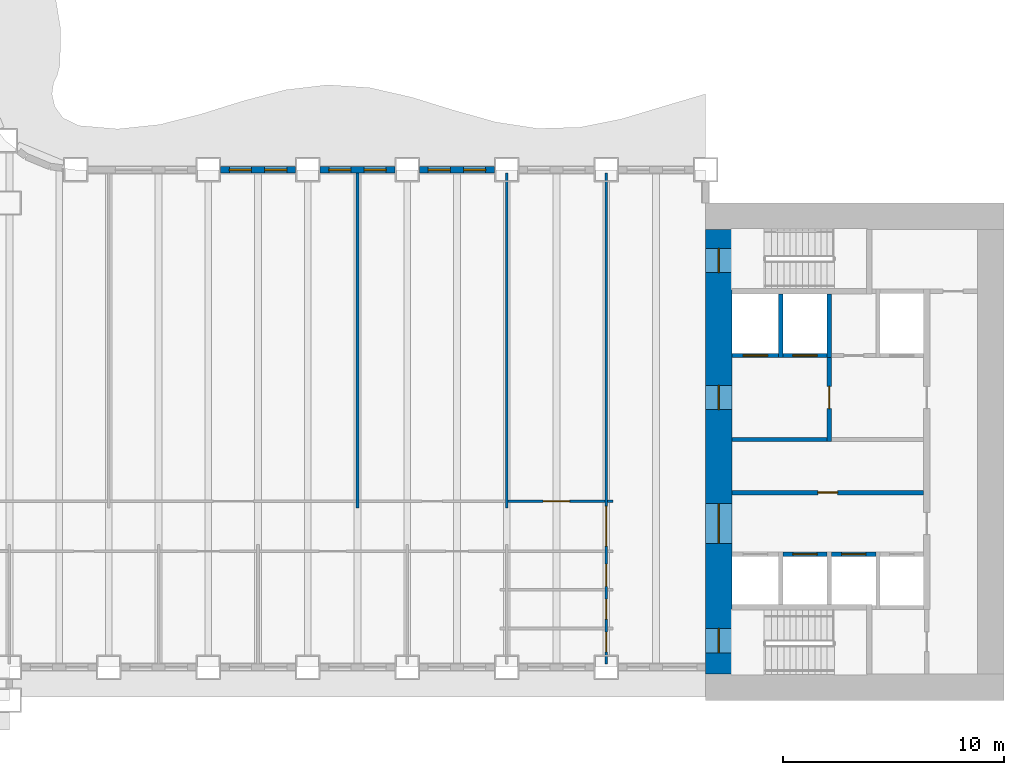
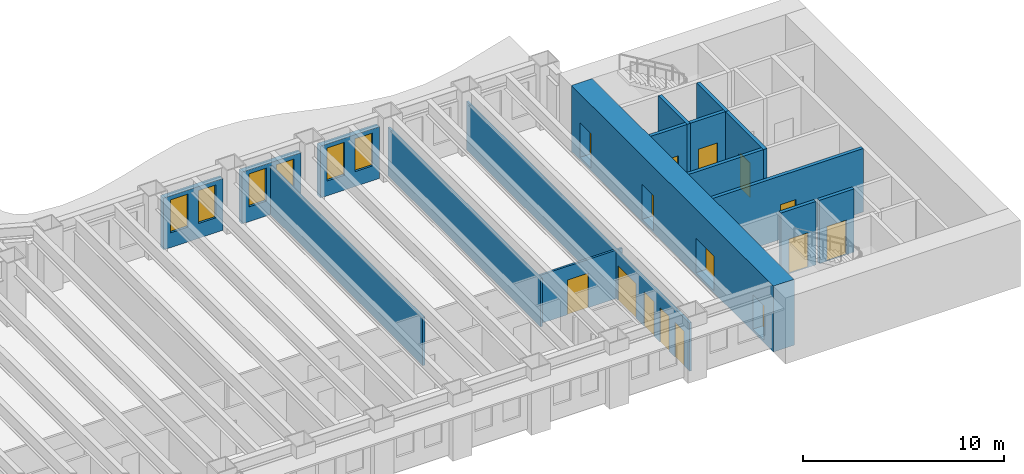
# One storey, part 6 of 16: 18 walls, 15 doors, 6 windows, 21 openings.
"""IFC4 building model written with IfcOpenShell, lengths in metres."""

from ifc_helpers import new_model, si_unit, direction, frame, frame_2d, origin, place, context, subcontext, project, spatial, rectangle, extrude, material, layer, layer_set, type_object, element, fill, save


model = new_model("IFC4")

# Units and contexts
model_context = context("Model", 3, precision=1e-05, world=origin(), true_north=direction((0.0, 1.0)))
body_context = subcontext(model_context, "Body", "Model", "MODEL_VIEW")
ifc_project = project(units=[si_unit("LENGTHUNIT", "METRE"), si_unit("AREAUNIT", "SQUARE_METRE"), si_unit("VOLUMEUNIT", "CUBIC_METRE"), si_unit("PLANEANGLEUNIT", "RADIAN"), si_unit("MASSUNIT", "GRAM", prefix="KILO")], contexts=[model_context])

# Site, building, storey
site_placement = place(None, origin())
site = spatial("IfcSite", under=ifc_project, at=site_placement, CompositionType="ELEMENT")
building_placement = place(site_placement, origin())
building = spatial("IfcBuilding", under=site, at=building_placement, Name="Sennacour Bend Tower", CompositionType="ELEMENT")
storey_placement = place(building_placement, frame((0.0, 0.0, 57.0)))
storey = spatial("IfcBuildingStorey", under=building, at=storey_placement, Name="L12", CompositionType="ELEMENT", Elevation=57.0)

# Wall, openings, doors
ifc_material_1 = material(Name="Concrete C80/95", Category="concrete")
ifc_layer_1 = layer(ifc_material_1, 1.199951171875, Name="Concrete C80/95", Category="concrete")
ifc_layer_set_1 = layer_set([ifc_layer_1], Name="Concrete C80/95")
wall_type_1 = type_object("IfcWallType", Name="Core wall 1200 C80/95", PredefinedType="SHEAR", material=ifc_layer_set_1)
wall_1_placement = place(storey_placement, frame((54.60009765625, 1.199951171875, -0.14990234375), z_axis=(0.0, 0.0, 1.0), x_axis=(0.0, 1.0, 0.0)))
wall_1 = element("IfcWall", 1, at=wall_1_placement, inside=storey, type_object=wall_type_1, Name="Core A wall L12 W", PredefinedType="SHEAR", context=body_context, shape_type="SweptSolid", body=[
    extrude(rectangle(XDim=20.10009765625, YDim=1.199951171875, at=frame_2d((10.050048828125, 0.0))), origin(), (0.0, 0.0, 1.0), 4.0),
])
opening_1_placement = place(wall_1_placement, frame((5.89990234375, 0.0, 0.14990234375)))
opening_1 = element("IfcOpeningElement", 2, at=opening_1_placement, cuts=wall_1, Name="Opening CD", PredefinedType="OPENING", context=body_context, shape_type="SweptSolid", body=[
    extrude(rectangle(XDim=1.800048828125, YDim=2.10009765625, at=frame_2d((0.89990234375, 1.050048828125))), frame((0.0, 0.60986328125, 0.0), z_axis=(0.0, -1.0, 0.0), x_axis=(1.0, 0.0, 0.0)), (0.0, 0.0, 1.0), 1.219970703125),
])
opening_2_placement = place(wall_1_placement, frame((11.949951171875, 0.0, 0.14990234375)))
opening_2 = element("IfcOpeningElement", 3, at=opening_2_placement, cuts=wall_1, Name="Opening FD", PredefinedType="OPENING", context=body_context, shape_type="SweptSolid", body=[
    extrude(rectangle(XDim=1.10009765625, YDim=2.10009765625, at=frame_2d((0.550048828125, 1.050048828125))), frame((0.0, 0.60986328125, 0.0), z_axis=(0.0, -1.0, 0.0), x_axis=(1.0, 0.0, 0.0)), (0.0, 0.0, 1.0), 1.219970703125),
])
opening_3_placement = place(wall_1_placement, frame((0.949951171875, 0.0, 0.14990234375)))
opening_3 = element("IfcOpeningElement", 4, at=opening_3_placement, cuts=wall_1, Name="Opening SD", PredefinedType="OPENING", context=body_context, shape_type="SweptSolid", body=[
    extrude(rectangle(XDim=1.10009765625, YDim=2.10009765625, at=frame_2d((0.550048828125, 1.050048828125))), frame((0.0, 0.60986328125, 0.0), z_axis=(0.0, -1.0, 0.0), x_axis=(1.0, 0.0, 0.0)), (0.0, 0.0, 1.0), 1.219970703125),
])
opening_4_placement = place(wall_1_placement, frame((18.14990234375, 0.0, 0.14990234375)))
opening_4 = element("IfcOpeningElement", 5, at=opening_4_placement, cuts=wall_1, Name="Opening SD", PredefinedType="OPENING", context=body_context, shape_type="SweptSolid", body=[
    extrude(rectangle(XDim=1.10009765625, YDim=2.10009765625, at=frame_2d((0.550048828125, 1.050048828125))), frame((0.0, 0.60986328125, 0.0), z_axis=(0.0, -1.0, 0.0), x_axis=(1.0, 0.0, 0.0)), (0.0, 0.0, 1.0), 1.219970703125),
])
ifc_material_2 = material(Name="Painted steel", Category="steel")
door_type_1 = type_object("IfcDoorType", Name="DR-FFL-1100", OperationType="NOTDEFINED", PredefinedType="DOOR", material=ifc_material_2)
door_1_placement = place(opening_2_placement, origin())
door_1 = element("IfcDoor", 6, at=door_1_placement, inside=storey, type_object=door_type_1, Name="Door", OperationType="SINGLE_SWING_RIGHT", OverallHeight=2.10009765625, OverallWidth=1.10009765625, PredefinedType="DOOR", context=body_context, shape_type="SweptSolid", body=[
    extrude(rectangle(XDim=1.10009765625, YDim=2.10009765625, at=frame_2d((0.550048828125, 1.050048828125))), frame((0.0, 0.02490234375, 0.0), z_axis=(0.0, -1.0, 0.0), x_axis=(1.0, 0.0, 0.0)), (0.0, 0.0, 1.0), 0.050048828125),
])
fill(opening_2, door_1)
door_type_2 = type_object("IfcDoorType", Name="DR-LOBBY-1800", OperationType="NOTDEFINED", PredefinedType="DOOR", material=ifc_material_2)
door_2_placement = place(opening_1_placement, origin())
door_2 = element("IfcDoor", 7, at=door_2_placement, inside=storey, type_object=door_type_2, Name="Door", OperationType="DOUBLE_DOOR_SINGLE_SWING", OverallHeight=2.10009765625, OverallWidth=1.800048828125, PredefinedType="DOOR", context=body_context, shape_type="SweptSolid", body=[
    extrude(rectangle(XDim=1.800048828125, YDim=2.10009765625, at=frame_2d((0.89990234375, 1.050048828125))), frame((0.0, 0.02490234375, 0.0), z_axis=(0.0, -1.0, 0.0), x_axis=(1.0, 0.0, 0.0)), (0.0, 0.0, 1.0), 0.050048828125),
])
fill(opening_1, door_2)
door_type_3 = type_object("IfcDoorType", Name="DR-STAIR-1100", OperationType="NOTDEFINED", PredefinedType="DOOR", material=ifc_material_2)
door_3_placement = place(opening_3_placement, origin())
door_3 = element("IfcDoor", 8, at=door_3_placement, inside=storey, type_object=door_type_3, Name="Door", OperationType="SINGLE_SWING_LEFT", OverallHeight=2.10009765625, OverallWidth=1.10009765625, PredefinedType="DOOR", context=body_context, shape_type="SweptSolid", body=[
    extrude(rectangle(XDim=1.10009765625, YDim=2.10009765625, at=frame_2d((0.550048828125, 1.050048828125))), frame((0.0, 0.02490234375, 0.0), z_axis=(0.0, -1.0, 0.0), x_axis=(1.0, 0.0, 0.0)), (0.0, 0.0, 1.0), 0.050048828125),
])
fill(opening_3, door_3)
door_4_placement = place(opening_4_placement, origin())
door_4 = element("IfcDoor", 9, at=door_4_placement, inside=storey, type_object=door_type_3, Name="Door", OperationType="SINGLE_SWING_RIGHT", OverallHeight=2.10009765625, OverallWidth=1.10009765625, PredefinedType="DOOR", context=body_context, shape_type="SweptSolid", body=[
    extrude(rectangle(XDim=1.10009765625, YDim=2.10009765625, at=frame_2d((0.550048828125, 1.050048828125))), frame((0.0, 0.02490234375, 0.0), z_axis=(0.0, -1.0, 0.0), x_axis=(1.0, 0.0, 0.0)), (0.0, 0.0, 1.0), 0.050048828125),
])
fill(opening_4, door_4)

# Walls
ifc_material_3 = material(Name="Plasterboard partition on steel studs", Category="steel")
ifc_layer_2 = layer(ifc_material_3, 0.1201171875, Name="Plasterboard partition on steel studs", Category="steel")
ifc_layer_set_2 = layer_set([ifc_layer_2], Name="Plasterboard partition on steel studs")
wall_type_2 = type_object("IfcWallType", Name="Partition 120", PredefinedType="PARTITIONING", material=ifc_layer_set_2)
for number, where, z_axis, x_axis, name in (
    (10, (38.25, 8.699951171875, 0.0), (0.0, 0.0, 1.0), (0.0, 1.0, 0.0), "P-L12-W030a"),
    (11, (45.0, 8.699951171875, 0.0), (0.0, 0.0, 1.0), (0.0, 1.0, 0.0), "P-L12-W033a"),
):
    element("IfcWall", number, at=place(storey_placement, frame(where, z_axis=z_axis, x_axis=x_axis)), inside=storey, type_object=wall_type_2, Name=name, PredefinedType="PARTITIONING", context=body_context, shape_type="SweptSolid", body=[
        extrude(rectangle(XDim=15.150146484375, YDim=0.1201171875, at=frame_2d((7.5751953125, 0.0))), origin(), (0.0, 0.0, 1.0), 2.93798828125),
    ])

# Wall, opening, door
wall_2_placement = place(storey_placement, frame((45.06005859375, 9.0, 0.0), z_axis=(0.0, 0.0, 1.0), x_axis=(1.0, 0.0, 0.0)))
wall_2 = element("IfcWall", 12, at=wall_2_placement, inside=storey, type_object=wall_type_2, Name="P-L12-W058af", PredefinedType="PARTITIONING", context=body_context, shape_type="SweptSolid", body=[
    extrude(rectangle(XDim=4.3798828125, YDim=0.1201171875, at=frame_2d((2.18994140625, 0.0))), origin(), (0.0, 0.0, 1.0), 2.93798828125),
])
opening_5_placement = place(wall_2_placement, frame((1.58984375, 0.0, 0.0)))
opening_5 = element("IfcOpeningElement", 13, at=opening_5_placement, cuts=wall_2, Name="Opening OD", PredefinedType="OPENING", context=body_context, shape_type="SweptSolid", body=[
    extrude(rectangle(XDim=1.199951171875, YDim=2.10009765625, at=frame_2d((0.60009765625, 1.050048828125))), frame((0.0, 0.070068359375, 0.0), z_axis=(0.0, -1.0, 0.0), x_axis=(1.0, 0.0, 0.0)), (0.0, 0.0, 1.0), 0.14013671875),
])
ifc_material_4 = material(Name="Timber", Category="wood")
door_type_4 = type_object("IfcDoorType", Name="DR-OFFICE-1200", OperationType="NOTDEFINED", PredefinedType="DOOR", material=ifc_material_4)
door_5_placement = place(opening_5_placement, origin())
door_5 = element("IfcDoor", 14, at=door_5_placement, inside=storey, type_object=door_type_4, Name="Door", OperationType="SINGLE_SWING_LEFT", OverallHeight=2.10009765625, OverallWidth=1.199951171875, PredefinedType="DOOR", context=body_context, shape_type="SweptSolid", body=[
    extrude(rectangle(XDim=1.199951171875, YDim=2.10009765625, at=frame_2d((0.60009765625, 1.050048828125))), frame((0.0, 0.02490234375, 0.0), z_axis=(0.0, -1.0, 0.0), x_axis=(1.0, 0.0, 0.0)), (0.0, 0.0, 1.0), 0.050048828125),
])
fill(opening_5, door_5)

# Wall
wall_3_placement = place(storey_placement, frame((49.56005859375, 9.0, 0.0), z_axis=(0.0, 0.0, 1.0), x_axis=(1.0, 0.0, 0.0)))
element("IfcWall", 15, at=wall_3_placement, inside=storey, type_object=wall_type_2, Name="P-L12-W058ag", PredefinedType="PARTITIONING", context=body_context, shape_type="SweptSolid", body=[
    extrude(rectangle(XDim=0.239990234375, YDim=0.1201171875, at=frame_2d((0.1201171875, 0.0))), origin(), (0.0, 0.0, 1.0), 2.93798828125),
])

# Wall, openings, doors
ifc_layer_3 = layer(ifc_material_3, 0.1201171875, Name="Plasterboard partition on steel studs", Category="steel")
ifc_layer_set_3 = layer_set([ifc_layer_3], Name="Plasterboard partition on steel studs")
wall_type_3 = type_object("IfcWallType", Name="Partition 120 EI 30", PredefinedType="PARTITIONING", material=ifc_layer_set_3)
wall_4_placement = place(storey_placement, frame((49.5, 1.64990234375, 0.0), z_axis=(0.0, 0.0, 1.0), x_axis=(0.0, 1.0, 0.0)))
wall_4 = element("IfcWall", 16, at=wall_4_placement, inside=storey, type_object=wall_type_3, Name="P-L12-W034a", PredefinedType="PARTITIONING", context=body_context, shape_type="SweptSolid", body=[
    extrude(rectangle(XDim=22.2001953125, YDim=0.1201171875, at=frame_2d((11.10009765625, 0.0))), origin(), (0.0, 0.0, 1.0), 2.93798828125),
])
opening_6_placement = place(wall_4_placement, frame((5.3251953125, 0.0, 0.0)))
opening_6 = element("IfcOpeningElement", 17, at=opening_6_placement, cuts=wall_4, Name="Opening KD3", PredefinedType="OPENING", context=body_context, shape_type="SweptSolid", body=[
    extrude(rectangle(XDim=1.800048828125, YDim=2.10009765625, at=frame_2d((0.89990234375, 1.050048828125))), frame((0.0, 0.070068359375, 0.0), z_axis=(0.0, -1.0, 0.0), x_axis=(1.0, 0.0, 0.0)), (0.0, 0.0, 1.0), 0.14013671875),
])
opening_7_placement = place(wall_4_placement, frame((0.5400390625, 0.0, 0.0)))
opening_7 = element("IfcOpeningElement", 18, at=opening_7_placement, cuts=wall_4, Name="Opening WD", PredefinedType="OPENING", context=body_context, shape_type="SweptSolid", body=[
    extrude(rectangle(XDim=0.89990234375, YDim=2.10009765625, at=frame_2d((0.449951171875, 1.050048828125))), frame((0.0, 0.070068359375, 0.0), z_axis=(0.0, -1.0, 0.0), x_axis=(1.0, 0.0, 0.0)), (0.0, 0.0, 1.0), 0.14013671875),
])
opening_8_placement = place(wall_4_placement, frame((2.025146484375, 0.0, 0.0)))
opening_8 = element("IfcOpeningElement", 19, at=opening_8_placement, cuts=wall_4, Name="Opening WD", PredefinedType="OPENING", context=body_context, shape_type="SweptSolid", body=[
    extrude(rectangle(XDim=0.89990234375, YDim=2.10009765625, at=frame_2d((0.449951171875, 1.050048828125))), frame((0.0, 0.070068359375, 0.0), z_axis=(0.0, -1.0, 0.0), x_axis=(1.0, 0.0, 0.0)), (0.0, 0.0, 1.0), 0.14013671875),
])
opening_9_placement = place(wall_4_placement, frame((3.510009765625, 0.0, 0.0)))
opening_9 = element("IfcOpeningElement", 20, at=opening_9_placement, cuts=wall_4, Name="Opening AD", PredefinedType="OPENING", context=body_context, shape_type="SweptSolid", body=[
    extrude(rectangle(XDim=1.0, YDim=2.10009765625, at=frame_2d((0.5, 1.050048828125))), frame((0.0, 0.070068359375, 0.0), z_axis=(0.0, -1.0, 0.0), x_axis=(1.0, 0.0, 0.0)), (0.0, 0.0, 1.0), 0.14013671875),
])
door_type_5 = type_object("IfcDoorType", Name="DR-ACC-WC-1000", OperationType="NOTDEFINED", PredefinedType="DOOR", material=ifc_material_4)
door_6_placement = place(opening_9_placement, origin())
door_6 = element("IfcDoor", 21, at=door_6_placement, inside=storey, type_object=door_type_5, Name="Door", OperationType="SINGLE_SWING_LEFT", OverallHeight=2.10009765625, OverallWidth=1.0, PredefinedType="DOOR", context=body_context, shape_type="SweptSolid", body=[
    extrude(rectangle(XDim=1.0, YDim=2.10009765625, at=frame_2d((0.5, 1.050048828125))), frame((0.0, 0.02490234375, 0.0), z_axis=(0.0, -1.0, 0.0), x_axis=(1.0, 0.0, 0.0)), (0.0, 0.0, 1.0), 0.050048828125),
])
fill(opening_9, door_6)
door_type_6 = type_object("IfcDoorType", Name="DR-CORRIDOR-1800", OperationType="NOTDEFINED", PredefinedType="DOOR", material=ifc_material_2)
door_7_placement = place(opening_6_placement, origin())
door_7 = element("IfcDoor", 22, at=door_7_placement, inside=storey, type_object=door_type_6, Name="Door", OperationType="DOUBLE_DOOR_SINGLE_SWING", OverallHeight=2.10009765625, OverallWidth=1.800048828125, PredefinedType="DOOR", context=body_context, shape_type="SweptSolid", body=[
    extrude(rectangle(XDim=1.800048828125, YDim=2.10009765625, at=frame_2d((0.89990234375, 1.050048828125))), frame((0.0, 0.02490234375, 0.0), z_axis=(0.0, -1.0, 0.0), x_axis=(1.0, 0.0, 0.0)), (0.0, 0.0, 1.0), 0.050048828125),
])
fill(opening_6, door_7)
door_type_7 = type_object("IfcDoorType", Name="DR-WC-900", OperationType="NOTDEFINED", PredefinedType="DOOR", material=ifc_material_4)
door_8_placement = place(opening_7_placement, origin())
door_8 = element("IfcDoor", 23, at=door_8_placement, inside=storey, type_object=door_type_7, Name="Door", OperationType="SINGLE_SWING_LEFT", OverallHeight=2.10009765625, OverallWidth=0.89990234375, PredefinedType="DOOR", context=body_context, shape_type="SweptSolid", body=[
    extrude(rectangle(XDim=0.89990234375, YDim=2.10009765625, at=frame_2d((0.449951171875, 1.050048828125))), frame((0.0, 0.02490234375, 0.0), z_axis=(0.0, -1.0, 0.0), x_axis=(1.0, 0.0, 0.0)), (0.0, 0.0, 1.0), 0.050048828125),
])
fill(opening_7, door_8)
door_9_placement = place(opening_8_placement, origin())
door_9 = element("IfcDoor", 24, at=door_9_placement, inside=storey, type_object=door_type_7, Name="Door", OperationType="SINGLE_SWING_LEFT", OverallHeight=2.10009765625, OverallWidth=0.89990234375, PredefinedType="DOOR", context=body_context, shape_type="SweptSolid", body=[
    extrude(rectangle(XDim=0.89990234375, YDim=2.10009765625, at=frame_2d((0.449951171875, 1.050048828125))), frame((0.0, 0.02490234375, 0.0), z_axis=(0.0, -1.0, 0.0), x_axis=(1.0, 0.0, 0.0)), (0.0, 0.0, 1.0), 0.050048828125),
])
fill(opening_8, door_9)

# Wall, opening, door
ifc_material_5 = material(Name="Fire-rated plasterboard partition on steel studs", Category="steel")
ifc_layer_4 = layer(ifc_material_5, 0.199951171875, Name="Fire-rated plasterboard partition on steel studs", Category="steel")
ifc_layer_set_4 = layer_set([ifc_layer_4], Name="Fire-rated plasterboard partition on steel studs")
wall_type_4 = type_object("IfcWallType", Name="Rated partition 200", PredefinedType="PARTITIONING", material=ifc_layer_set_4)
wall_5_placement = place(storey_placement, frame((55.199951171875, 9.39990234375, 0.0), z_axis=(0.0, 0.0, 1.0), x_axis=(1.0, 0.0, 0.0)))
wall_5 = element("IfcWall", 25, at=wall_5_placement, inside=storey, type_object=wall_type_4, Name="P-L12-W059", PredefinedType="PARTITIONING", context=body_context, shape_type="SweptSolid", body=[
    extrude(rectangle(XDim=8.650146484375, YDim=0.199951171875, at=frame_2d((4.3251953125, 0.0))), origin(), (0.0, 0.0, 1.0), 3.85009765625),
])
opening_10_placement = place(wall_5_placement, frame((3.875, 0.0, 0.0)))
opening_10 = element("IfcOpeningElement", 26, at=opening_10_placement, cuts=wall_5, Name="Opening SV", PredefinedType="OPENING", context=body_context, shape_type="SweptSolid", body=[
    extrude(rectangle(XDim=0.89990234375, YDim=2.10009765625, at=frame_2d((0.449951171875, 1.050048828125))), frame((0.0, 0.10986328125, 0.0), z_axis=(0.0, -1.0, 0.0), x_axis=(1.0, 0.0, 0.0)), (0.0, 0.0, 1.0), 0.219970703125),
])
door_type_8 = type_object("IfcDoorType", Name="DR-SERVICE-900", OperationType="NOTDEFINED", PredefinedType="DOOR", material=ifc_material_2)
door_10_placement = place(opening_10_placement, origin())
door_10 = element("IfcDoor", 27, at=door_10_placement, inside=storey, type_object=door_type_8, Name="Door", OperationType="SINGLE_SWING_LEFT", OverallHeight=2.10009765625, OverallWidth=0.89990234375, PredefinedType="DOOR", context=body_context, shape_type="SweptSolid", body=[
    extrude(rectangle(XDim=0.89990234375, YDim=2.10009765625, at=frame_2d((0.449951171875, 1.050048828125))), frame((0.0, 0.02490234375, 0.0), z_axis=(0.0, -1.0, 0.0), x_axis=(1.0, 0.0, 0.0)), (0.0, 0.0, 1.0), 0.050048828125),
])
fill(opening_10, door_10)

# Wall
wall_6_placement = place(storey_placement, frame((55.199951171875, 11.800048828125, 0.0), z_axis=(0.0, 0.0, 1.0), x_axis=(1.0, 0.0, 0.0)))
element("IfcWall", 28, at=wall_6_placement, inside=storey, type_object=wall_type_4, Name="P-L12-W060a", PredefinedType="PARTITIONING", context=body_context, shape_type="SweptSolid", body=[
    extrude(rectangle(XDim=4.300048828125, YDim=0.199951171875, at=frame_2d((2.14990234375, 0.0))), origin(), (0.0, 0.0, 1.0), 3.85009765625),
])

# Wall, opening, door
ifc_layer_5 = layer(ifc_material_5, 0.199951171875, Name="Fire-rated plasterboard partition on steel studs", Category="steel")
ifc_layer_set_5 = layer_set([ifc_layer_5], Name="Fire-rated plasterboard partition on steel studs")
wall_type_5 = type_object("IfcWallType", Name="Rated partition 200 EI 90", PredefinedType="PARTITIONING", material=ifc_layer_set_5)
wall_7_placement = place(storey_placement, frame((59.60009765625, 11.699951171875, 0.0), z_axis=(0.0, 0.0, 1.0), x_axis=(0.0, 1.0, 0.0)))
wall_7 = element("IfcWall", 29, at=wall_7_placement, inside=storey, type_object=wall_type_5, Name="P-L12-W039", PredefinedType="PARTITIONING", context=body_context, shape_type="SweptSolid", body=[
    extrude(rectangle(XDim=3.800048828125, YDim=0.199951171875, at=frame_2d((1.89990234375, 0.0))), origin(), (0.0, 0.0, 1.0), 3.85009765625),
])
opening_11_placement = place(wall_7_placement, frame((1.5, 0.0, 0.0)))
opening_11 = element("IfcOpeningElement", 30, at=opening_11_placement, cuts=wall_7, Name="Opening FD2", PredefinedType="OPENING", context=body_context, shape_type="SweptSolid", body=[
    extrude(rectangle(XDim=1.0, YDim=2.10009765625, at=frame_2d((0.5, 1.050048828125))), frame((0.0, 0.10986328125, 0.0), z_axis=(0.0, -1.0, 0.0), x_axis=(1.0, 0.0, 0.0)), (0.0, 0.0, 1.0), 0.219970703125),
])
door_type_9 = type_object("IfcDoorType", Name="DR-FFL-1000", OperationType="NOTDEFINED", PredefinedType="DOOR", material=ifc_material_2)
door_11_placement = place(opening_11_placement, origin())
door_11 = element("IfcDoor", 31, at=door_11_placement, inside=storey, type_object=door_type_9, Name="Door", OperationType="SINGLE_SWING_RIGHT", OverallHeight=2.10009765625, OverallWidth=1.0, PredefinedType="DOOR", context=body_context, shape_type="SweptSolid", body=[
    extrude(rectangle(XDim=1.0, YDim=2.10009765625, at=frame_2d((0.5, 1.050048828125))), frame((0.0, 0.02490234375, 0.0), z_axis=(0.0, -1.0, 0.0), x_axis=(1.0, 0.0, 0.0)), (0.0, 0.0, 1.0), 0.050048828125),
])
fill(opening_11, door_11)

# Wall, openings, windows
ifc_material_6 = material(Name="Warm limestone cladding", Category="masonry")
ifc_layer_6 = layer(ifc_material_6, 0.050048828125, Name="Warm limestone cladding", Category="masonry")
ifc_material_7 = material(Name="Precast concrete C40/50", Category="concrete")
ifc_layer_7 = layer(ifc_material_7, 0.25, Name="Precast concrete C40/50", Category="concrete")
ifc_layer_set_6 = layer_set([ifc_layer_6, ifc_layer_7], Name="Precast concrete C40/50 with limestone cladding")
wall_type_6 = type_object("IfcWallType", Name="STONE-CLAD PRECAST SPANDREL 300", PredefinedType="STANDARD", material=ifc_layer_set_6)
wall_8_placement = place(storey_placement, frame((44.449951171875, 24.0, 0.0), z_axis=(0.0, 0.0, 1.0), x_axis=(-1.0, 0.0, 0.0)))
wall_8 = element("IfcWall", 32, at=wall_8_placement, inside=storey, type_object=wall_type_6, Name="Stone spandrel and pier wall L12 08.02", PredefinedType="STANDARD", context=body_context, shape_type="SweptSolid", body=[
    extrude(rectangle(XDim=3.39990234375, YDim=0.300048828125, at=frame_2d((1.699951171875, 0.0))), origin(), (0.0, 0.0, 1.0), 3.14404296875),
])
opening_12_placement = place(wall_8_placement, frame((0.39990234375, 0.0, 0.89990234375)))
opening_12 = element("IfcOpeningElement", 33, at=opening_12_placement, cuts=wall_8, Name="Opening W8", PredefinedType="OPENING", context=body_context, shape_type="SweptSolid", body=[
    extrude(rectangle(XDim=1.0, YDim=2.0, at=frame_2d((0.5, 1.0))), frame((0.0, 0.16015625, 0.0), z_axis=(0.0, -1.0, 0.0), x_axis=(1.0, 0.0, 0.0)), (0.0, 0.0, 1.0), 0.320068359375),
])
opening_13_placement = place(wall_8_placement, frame((2.0, 0.0, 0.89990234375)))
opening_13 = element("IfcOpeningElement", 34, at=opening_13_placement, cuts=wall_8, Name="Opening W8", PredefinedType="OPENING", context=body_context, shape_type="SweptSolid", body=[
    extrude(rectangle(XDim=1.0, YDim=2.0, at=frame_2d((0.5, 1.0))), frame((0.0, 0.16015625, 0.0), z_axis=(0.0, -1.0, 0.0), x_axis=(1.0, 0.0, 0.0)), (0.0, 0.0, 1.0), 0.320068359375),
])
ifc_material_8 = material(Name="Clear low-emissivity glass", Category="glass")
window_type = type_object("IfcWindowType", Name="WIN-RIBBON-1000x2000", PartitioningType="SINGLE_PANEL", PredefinedType="WINDOW", material=ifc_material_8)
window_1_placement = place(opening_12_placement, origin())
window_1 = element("IfcWindow", 35, at=window_1_placement, inside=storey, type_object=window_type, Name="Ribbon window L12 08.02.0", OverallHeight=2.0, OverallWidth=1.0, PartitioningType="SINGLE_PANEL", PredefinedType="WINDOW", context=body_context, shape_type="SweptSolid", body=[
    extrude(rectangle(XDim=1.0, YDim=2.0, at=frame_2d((0.5, 1.0))), frame((0.0, 0.030029296875, 0.0), z_axis=(0.0, -1.0, 0.0), x_axis=(1.0, 0.0, 0.0)), (0.0, 0.0, 1.0), 0.06005859375),
])
fill(opening_12, window_1)
window_2_placement = place(opening_13_placement, origin())
window_2 = element("IfcWindow", 36, at=window_2_placement, inside=storey, type_object=window_type, Name="Ribbon window L12 08.02.1", OverallHeight=2.0, OverallWidth=1.0, PartitioningType="SINGLE_PANEL", PredefinedType="WINDOW", context=body_context, shape_type="SweptSolid", body=[
    extrude(rectangle(XDim=1.0, YDim=2.0, at=frame_2d((0.5, 1.0))), frame((0.0, 0.030029296875, 0.0), z_axis=(0.0, -1.0, 0.0), x_axis=(1.0, 0.0, 0.0)), (0.0, 0.0, 1.0), 0.06005859375),
])
fill(opening_13, window_2)

wall_9_placement = place(storey_placement, frame((39.949951171875, 24.0, 0.0), z_axis=(0.0, 0.0, 1.0), x_axis=(-1.0, 0.0, 0.0)))
wall_9 = element("IfcWall", 37, at=wall_9_placement, inside=storey, type_object=wall_type_6, Name="Stone spandrel and pier wall L12 08.03", PredefinedType="STANDARD", context=body_context, shape_type="SweptSolid", body=[
    extrude(rectangle(XDim=3.39990234375, YDim=0.300048828125, at=frame_2d((1.699951171875, 0.0))), origin(), (0.0, 0.0, 1.0), 3.14404296875),
])
opening_14_placement = place(wall_9_placement, frame((0.39990234375, 0.0, 0.89990234375)))
opening_14 = element("IfcOpeningElement", 38, at=opening_14_placement, cuts=wall_9, Name="Opening W8", PredefinedType="OPENING", context=body_context, shape_type="SweptSolid", body=[
    extrude(rectangle(XDim=1.0, YDim=2.0, at=frame_2d((0.5, 1.0))), frame((0.0, 0.16015625, 0.0), z_axis=(0.0, -1.0, 0.0), x_axis=(1.0, 0.0, 0.0)), (0.0, 0.0, 1.0), 0.320068359375),
])
opening_15_placement = place(wall_9_placement, frame((2.0, 0.0, 0.89990234375)))
opening_15 = element("IfcOpeningElement", 39, at=opening_15_placement, cuts=wall_9, Name="Opening W8", PredefinedType="OPENING", context=body_context, shape_type="SweptSolid", body=[
    extrude(rectangle(XDim=1.0, YDim=2.0, at=frame_2d((0.5, 1.0))), frame((0.0, 0.16015625, 0.0), z_axis=(0.0, -1.0, 0.0), x_axis=(1.0, 0.0, 0.0)), (0.0, 0.0, 1.0), 0.320068359375),
])
window_3_placement = place(opening_14_placement, origin())
window_3 = element("IfcWindow", 40, at=window_3_placement, inside=storey, type_object=window_type, Name="Ribbon window L12 08.03.0", OverallHeight=2.0, OverallWidth=1.0, PartitioningType="SINGLE_PANEL", PredefinedType="WINDOW", context=body_context, shape_type="SweptSolid", body=[
    extrude(rectangle(XDim=1.0, YDim=2.0, at=frame_2d((0.5, 1.0))), frame((0.0, 0.030029296875, 0.0), z_axis=(0.0, -1.0, 0.0), x_axis=(1.0, 0.0, 0.0)), (0.0, 0.0, 1.0), 0.06005859375),
])
fill(opening_14, window_3)
window_4_placement = place(opening_15_placement, origin())
window_4 = element("IfcWindow", 41, at=window_4_placement, inside=storey, type_object=window_type, Name="Ribbon window L12 08.03.1", OverallHeight=2.0, OverallWidth=1.0, PartitioningType="SINGLE_PANEL", PredefinedType="WINDOW", context=body_context, shape_type="SweptSolid", body=[
    extrude(rectangle(XDim=1.0, YDim=2.0, at=frame_2d((0.5, 1.0))), frame((0.0, 0.030029296875, 0.0), z_axis=(0.0, -1.0, 0.0), x_axis=(1.0, 0.0, 0.0)), (0.0, 0.0, 1.0), 0.06005859375),
])
fill(opening_15, window_4)

wall_10_placement = place(storey_placement, frame((35.449951171875, 24.0, 0.0), z_axis=(0.0, 0.0, 1.0), x_axis=(-1.0, 0.0, 0.0)))
wall_10 = element("IfcWall", 42, at=wall_10_placement, inside=storey, type_object=wall_type_6, Name="Stone spandrel and pier wall L12 08.04", PredefinedType="STANDARD", context=body_context, shape_type="SweptSolid", body=[
    extrude(rectangle(XDim=3.39990234375, YDim=0.300048828125, at=frame_2d((1.699951171875, 0.0))), origin(), (0.0, 0.0, 1.0), 3.14404296875),
])
opening_16_placement = place(wall_10_placement, frame((0.39990234375, 0.0, 0.89990234375)))
opening_16 = element("IfcOpeningElement", 43, at=opening_16_placement, cuts=wall_10, Name="Opening W8", PredefinedType="OPENING", context=body_context, shape_type="SweptSolid", body=[
    extrude(rectangle(XDim=1.0, YDim=2.0, at=frame_2d((0.5, 1.0))), frame((0.0, 0.16015625, 0.0), z_axis=(0.0, -1.0, 0.0), x_axis=(1.0, 0.0, 0.0)), (0.0, 0.0, 1.0), 0.320068359375),
])
opening_17_placement = place(wall_10_placement, frame((2.0, 0.0, 0.89990234375)))
opening_17 = element("IfcOpeningElement", 44, at=opening_17_placement, cuts=wall_10, Name="Opening W8", PredefinedType="OPENING", context=body_context, shape_type="SweptSolid", body=[
    extrude(rectangle(XDim=1.0, YDim=2.0, at=frame_2d((0.5, 1.0))), frame((0.0, 0.16015625, 0.0), z_axis=(0.0, -1.0, 0.0), x_axis=(1.0, 0.0, 0.0)), (0.0, 0.0, 1.0), 0.320068359375),
])
window_5_placement = place(opening_16_placement, origin())
window_5 = element("IfcWindow", 45, at=window_5_placement, inside=storey, type_object=window_type, Name="Ribbon window L12 08.04.0", OverallHeight=2.0, OverallWidth=1.0, PartitioningType="SINGLE_PANEL", PredefinedType="WINDOW", context=body_context, shape_type="SweptSolid", body=[
    extrude(rectangle(XDim=1.0, YDim=2.0, at=frame_2d((0.5, 1.0))), frame((0.0, 0.030029296875, 0.0), z_axis=(0.0, -1.0, 0.0), x_axis=(1.0, 0.0, 0.0)), (0.0, 0.0, 1.0), 0.06005859375),
])
fill(opening_16, window_5)
window_6_placement = place(opening_17_placement, origin())
window_6 = element("IfcWindow", 46, at=window_6_placement, inside=storey, type_object=window_type, Name="Ribbon window L12 08.04.1", OverallHeight=2.0, OverallWidth=1.0, PartitioningType="SINGLE_PANEL", PredefinedType="WINDOW", context=body_context, shape_type="SweptSolid", body=[
    extrude(rectangle(XDim=1.0, YDim=2.0, at=frame_2d((0.5, 1.0))), frame((0.0, 0.030029296875, 0.0), z_axis=(0.0, -1.0, 0.0), x_axis=(1.0, 0.0, 0.0)), (0.0, 0.0, 1.0), 0.06005859375),
])
fill(opening_17, window_6)

# Walls
ifc_material_9 = material(Name="Concrete C50/60", Category="concrete")
ifc_layer_8 = layer(ifc_material_9, 0.199951171875, Name="Concrete C50/60", Category="concrete")
ifc_layer_set_7 = layer_set([ifc_layer_8], Name="Concrete C50/60")
wall_type_7 = type_object("IfcWallType", Name="Shaft wall 200", PredefinedType="SOLIDWALL", material=ifc_layer_set_7)
for number, where, z_axis, x_axis, name in (
    (47, (57.39990234375, 15.5, 0.0), (0.0, 0.0, 1.0), (0.0, 1.0, 0.0), "P-L12-W037"),
    (48, (59.60009765625, 15.5, 0.0), (0.0, 0.0, 1.0), (0.0, 1.0, 0.0), "P-L12-W040"),
):
    element("IfcWall", number, at=place(storey_placement, frame(where, z_axis=z_axis, x_axis=x_axis)), inside=storey, type_object=wall_type_7, Name=name, PredefinedType="SOLIDWALL", context=body_context, shape_type="SweptSolid", body=[
        extrude(rectangle(XDim=2.875, YDim=0.199951171875, at=frame_2d((1.4375, 0.0))), origin(), (0.0, 0.0, 1.0), 3.85009765625),
    ])

# Wall, opening, door
wall_11_placement = place(storey_placement, frame((57.5, 6.60009765625, 0.0), z_axis=(0.0, 0.0, 1.0), x_axis=(1.0, 0.0, 0.0)))
wall_11 = element("IfcWall", 49, at=wall_11_placement, inside=storey, type_object=wall_type_7, Name="P-L12-W056b", PredefinedType="SOLIDWALL", context=body_context, shape_type="SweptSolid", body=[
    extrude(rectangle(XDim=2.0, YDim=0.199951171875, at=frame_2d((1.0, 0.0))), origin(), (0.0, 0.0, 1.0), 3.85009765625),
])
opening_18_placement = place(wall_11_placement, frame((0.449951171875, 0.0, 0.011962890625)))
opening_18 = element("IfcOpeningElement", 50, at=opening_18_placement, cuts=wall_11, Name="Opening LD", PredefinedType="OPENING", context=body_context, shape_type="SweptSolid", body=[
    extrude(rectangle(XDim=1.10009765625, YDim=2.10009765625, at=frame_2d((0.550048828125, 1.050048828125))), frame((0.0, 0.10986328125, 0.0), z_axis=(0.0, -1.0, 0.0), x_axis=(1.0, 0.0, 0.0)), (0.0, 0.0, 1.0), 0.219970703125),
])
ifc_material_10 = material(Name="Stainless steel", Category="steel")
door_type_10 = type_object("IfcDoorType", Name="DR-LANDING-1100", OperationType="NOTDEFINED", PredefinedType="DOOR", material=ifc_material_10)
door_12_placement = place(opening_18_placement, origin())
door_12 = element("IfcDoor", 51, at=door_12_placement, inside=storey, type_object=door_type_10, Name="Lift landing door LA2", OperationType="SLIDING_TO_RIGHT", OverallHeight=2.10009765625, OverallWidth=1.10009765625, PredefinedType="DOOR", context=body_context, shape_type="SweptSolid", body=[
    extrude(rectangle(XDim=1.10009765625, YDim=2.10009765625, at=frame_2d((0.550048828125, 1.050048828125))), frame((0.0, 0.02490234375, 0.0), z_axis=(0.0, -1.0, 0.0), x_axis=(1.0, 0.0, 0.0)), (0.0, 0.0, 1.0), 0.050048828125),
])
fill(opening_18, door_12)

wall_12_placement = place(storey_placement, frame((59.699951171875, 6.60009765625, 0.0), z_axis=(0.0, 0.0, 1.0), x_axis=(1.0, 0.0, 0.0)))
wall_12 = element("IfcWall", 52, at=wall_12_placement, inside=storey, type_object=wall_type_7, Name="P-L12-W056c", PredefinedType="SOLIDWALL", context=body_context, shape_type="SweptSolid", body=[
    extrude(rectangle(XDim=2.0, YDim=0.199951171875, at=frame_2d((1.0, 0.0))), origin(), (0.0, 0.0, 1.0), 3.85009765625),
])
opening_19_placement = place(wall_12_placement, frame((0.449951171875, 0.0, 0.011962890625)))
opening_19 = element("IfcOpeningElement", 53, at=opening_19_placement, cuts=wall_12, Name="Opening LD", PredefinedType="OPENING", context=body_context, shape_type="SweptSolid", body=[
    extrude(rectangle(XDim=1.10009765625, YDim=2.10009765625, at=frame_2d((0.550048828125, 1.050048828125))), frame((0.0, 0.10986328125, 0.0), z_axis=(0.0, -1.0, 0.0), x_axis=(1.0, 0.0, 0.0)), (0.0, 0.0, 1.0), 0.219970703125),
])
door_13_placement = place(opening_19_placement, origin())
door_13 = element("IfcDoor", 54, at=door_13_placement, inside=storey, type_object=door_type_10, Name="Lift landing door LA3", OperationType="SLIDING_TO_LEFT", OverallHeight=2.10009765625, OverallWidth=1.10009765625, PredefinedType="DOOR", context=body_context, shape_type="SweptSolid", body=[
    extrude(rectangle(XDim=1.10009765625, YDim=2.10009765625, at=frame_2d((0.550048828125, 1.050048828125))), frame((0.0, 0.02490234375, 0.0), z_axis=(0.0, -1.0, 0.0), x_axis=(1.0, 0.0, 0.0)), (0.0, 0.0, 1.0), 0.050048828125),
])
fill(opening_19, door_13)

wall_13_placement = place(storey_placement, frame((55.199951171875, 15.60009765625, 0.0), z_axis=(0.0, 0.0, 1.0), x_axis=(1.0, 0.0, 0.0)))
wall_13 = element("IfcWall", 55, at=wall_13_placement, inside=storey, type_object=wall_type_7, Name="P-L12-W062a", PredefinedType="SOLIDWALL", context=body_context, shape_type="SweptSolid", body=[
    extrude(rectangle(XDim=2.10009765625, YDim=0.199951171875, at=frame_2d((1.050048828125, 0.0))), origin(), (0.0, 0.0, 1.0), 3.85009765625),
])
opening_20_placement = place(wall_13_placement, frame((0.5, 0.0, 0.011962890625)))
opening_20 = element("IfcOpeningElement", 56, at=opening_20_placement, cuts=wall_13, Name="Opening FLD", PredefinedType="OPENING", context=body_context, shape_type="SweptSolid", body=[
    extrude(rectangle(XDim=1.10009765625, YDim=2.10009765625, at=frame_2d((0.550048828125, 1.050048828125))), frame((0.0, 0.10986328125, 0.0), z_axis=(0.0, -1.0, 0.0), x_axis=(1.0, 0.0, 0.0)), (0.0, 0.0, 1.0), 0.219970703125),
])
door_type_11 = type_object("IfcDoorType", Name="DR-FF-LANDING-1100", OperationType="NOTDEFINED", PredefinedType="DOOR", material=ifc_material_10)
door_14_placement = place(opening_20_placement, origin())
door_14 = element("IfcDoor", 57, at=door_14_placement, inside=storey, type_object=door_type_11, Name="Fire service lift landing door FA1", OperationType="SLIDING_TO_LEFT", OverallHeight=2.10009765625, OverallWidth=1.10009765625, PredefinedType="DOOR", context=body_context, shape_type="SweptSolid", body=[
    extrude(rectangle(XDim=1.10009765625, YDim=2.10009765625, at=frame_2d((0.550048828125, 1.050048828125))), frame((0.0, 0.02490234375, 0.0), z_axis=(0.0, -1.0, 0.0), x_axis=(1.0, 0.0, 0.0)), (0.0, 0.0, 1.0), 0.050048828125),
])
fill(opening_20, door_14)

wall_14_placement = place(storey_placement, frame((57.5, 15.60009765625, 0.0), z_axis=(0.0, 0.0, 1.0), x_axis=(1.0, 0.0, 0.0)))
wall_14 = element("IfcWall", 58, at=wall_14_placement, inside=storey, type_object=wall_type_7, Name="P-L12-W062b", PredefinedType="SOLIDWALL", context=body_context, shape_type="SweptSolid", body=[
    extrude(rectangle(XDim=2.0, YDim=0.199951171875, at=frame_2d((1.0, 0.0))), origin(), (0.0, 0.0, 1.0), 3.85009765625),
])
opening_21_placement = place(wall_14_placement, frame((0.449951171875, 0.0, 0.011962890625)))
opening_21 = element("IfcOpeningElement", 59, at=opening_21_placement, cuts=wall_14, Name="Opening FLD", PredefinedType="OPENING", context=body_context, shape_type="SweptSolid", body=[
    extrude(rectangle(XDim=1.10009765625, YDim=2.10009765625, at=frame_2d((0.550048828125, 1.050048828125))), frame((0.0, 0.10986328125, 0.0), z_axis=(0.0, -1.0, 0.0), x_axis=(1.0, 0.0, 0.0)), (0.0, 0.0, 1.0), 0.219970703125),
])
door_15_placement = place(opening_21_placement, origin())
door_15 = element("IfcDoor", 60, at=door_15_placement, inside=storey, type_object=door_type_11, Name="Fire service lift landing door FA2", OperationType="SLIDING_TO_RIGHT", OverallHeight=2.10009765625, OverallWidth=1.10009765625, PredefinedType="DOOR", context=body_context, shape_type="SweptSolid", body=[
    extrude(rectangle(XDim=1.10009765625, YDim=2.10009765625, at=frame_2d((0.550048828125, 1.050048828125))), frame((0.0, 0.02490234375, 0.0), z_axis=(0.0, -1.0, 0.0), x_axis=(1.0, 0.0, 0.0)), (0.0, 0.0, 1.0), 0.050048828125),
])
fill(opening_21, door_15)

save(model, "model.ifc")
